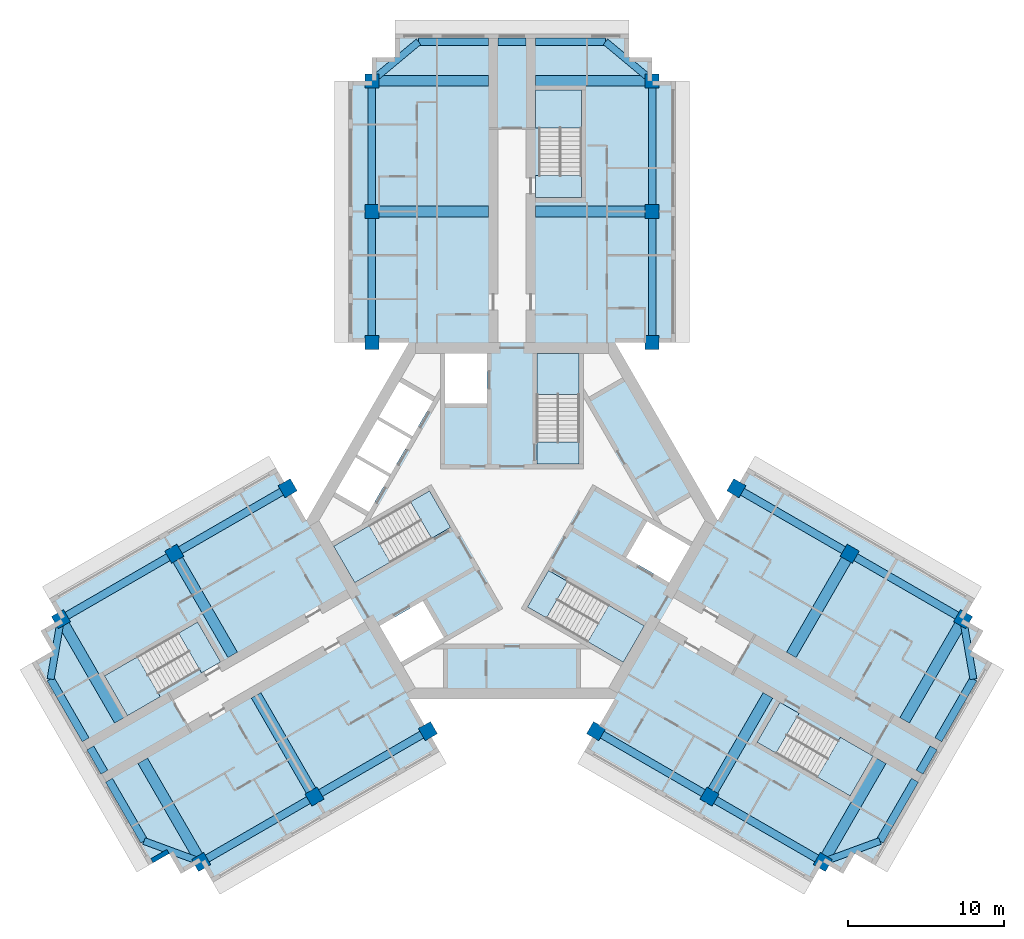
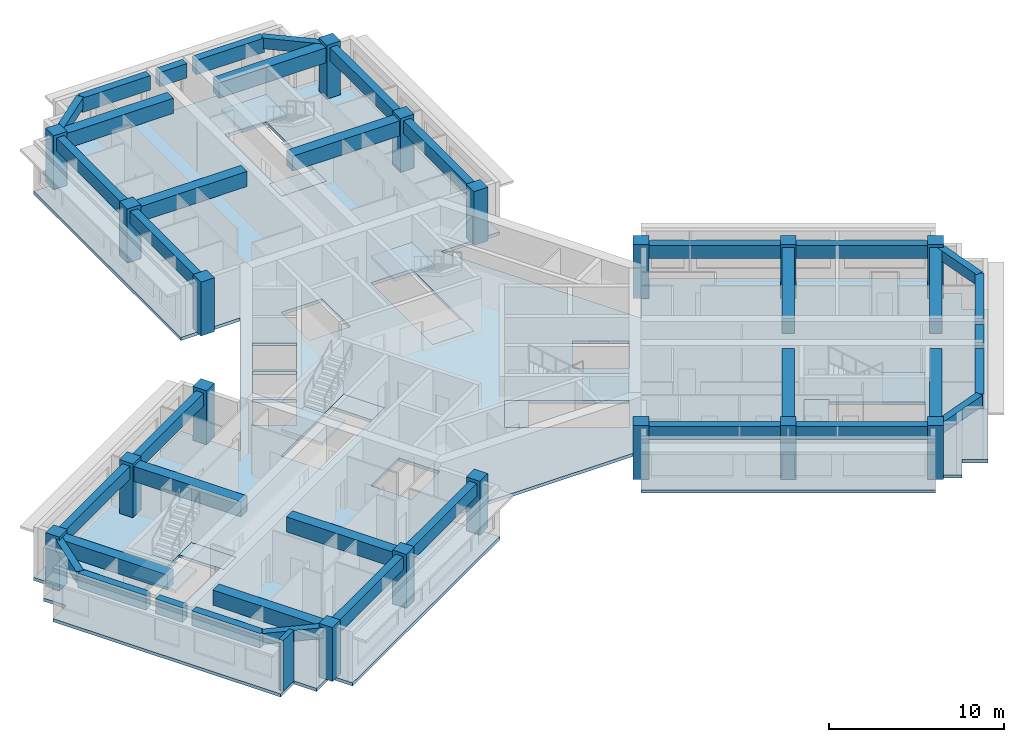
# One storey, part 1 of 10: 39 beams, 18 columns, 13 slabs, 1 wall, 6 elements without a shape of their own.
"""IFC4 building model written with IfcOpenShell, lengths in metres."""

from ifc_helpers import new_model, si_unit, direction, frame, frame_2d, origin, origin_2d, place, context, subcontext, project, spatial, polyline, rectangle, outline, extrude, material, layer, layer_set, material_profile, profile_set, type_object, element, aggregate, save


model = new_model("IFC4")

# Units and contexts
model_context = context("Model", 3, precision=1e-05, world=origin(), true_north=direction((0.0, 1.0)))
body_context = subcontext(model_context, "Body", "Model", "MODEL_VIEW")
ifc_project = project(units=[si_unit("LENGTHUNIT", "METRE"), si_unit("AREAUNIT", "SQUARE_METRE"), si_unit("VOLUMEUNIT", "CUBIC_METRE"), si_unit("PLANEANGLEUNIT", "RADIAN"), si_unit("MASSUNIT", "GRAM", prefix="KILO")], contexts=[model_context])

# Site, building, storey
site_placement = place(None, origin())
site = spatial("IfcSite", under=ifc_project, at=site_placement, CompositionType="ELEMENT")
building_placement = place(site_placement, origin())
building = spatial("IfcBuilding", under=site, at=building_placement, Name="Impinga Residences", CompositionType="ELEMENT")
storey_placement = place(building_placement, frame((0.0, 0.0, 252.25)))
storey = spatial("IfcBuildingStorey", under=building, at=storey_placement, Name="L63", CompositionType="ELEMENT", Elevation=252.25)

# Columns
ifc_material_1 = material(Name="Concrete C60/75", Category="concrete")
ifc_material_profile_1 = material_profile(ifc_material_1, rectangle(XDim=0.89990234375, YDim=0.89990234375, at=origin_2d()), Name="RC 900x900")
ifc_profile_set_1 = profile_set([ifc_material_profile_1], Name="Concrete C60/75")
column_type = type_object("IfcColumnType", Name="C4 900x900 column", PredefinedType="COLUMN", material=ifc_profile_set_1)
for number, where, z_axis, x_axis, name in (
    (1, (-9.0, 11.431640625, 0.0), (0.0, 0.0, 1.0), (1.0, 0.0, 0.0), "Column C4 N1/NA L63"),
    (2, (9.0, 11.431640625, 0.0), (0.0, 0.0, 1.0), (1.0, 0.0, 0.0), "Column C4 N1/NF L63"),
    (3, (-9.0, 19.83154296875, 0.0), (0.0, 0.0, 1.0), (1.0, 0.0, 0.0), "Column C4 N2/NA L63"),
    (4, (9.0, 19.83154296875, 0.0), (0.0, 0.0, 1.0), (1.0, 0.0, 0.0), "Column C4 N2/NF L63"),
    (5, (-9.0, 28.2314453125, 0.0), (0.0, 0.0, 1.0), (1.0, 0.0, 0.0), "Column C4 N3/NA L63"),
    (6, (9.0, 28.2314453125, 0.0), (0.0, 0.0, 1.0), (1.0, 0.0, 0.0), "Column C4 N3/NF L63"),
    (7, (-5.39990234375, -13.510009765625, 0.0), (0.0, 0.0, 1.0), (-0.5, 0.866025403784, 0.0), "Column C4 W1/WA L63"),
    (8, (-14.39990234375, 2.078369140625, 0.0), (0.0, 0.0, 1.0), (-0.5, 0.866025403784, 0.0), "Column C4 W1/WF L63"),
    (9, (-12.674560546875, -17.7099609375, 0.0), (0.0, 0.0, 1.0), (-0.5, 0.866025403784, 0.0), "Column C4 W2/WA L63"),
    (10, (-21.674560546875, -2.12158203125, 0.0), (0.0, 0.0, 1.0), (-0.5, 0.866025403784, 0.0), "Column C4 W2/WF L63"),
    (11, (-19.94921875, -21.909912109375, 0.0), (0.0, 0.0, 1.0), (-0.5, 0.866025403784, 0.0), "Column C4 W3/WA L63"),
    (12, (-28.94921875, -6.321533203125, 0.0), (0.0, 0.0, 1.0), (-0.5, 0.866025403784, 0.0), "Column C4 W3/WF L63"),
    (13, (14.39990234375, 2.078369140625, 0.0), (0.0, 0.0, 1.0), (-0.5, -0.866025403784, 0.0), "Column C4 E1/EA L63"),
    (14, (5.39990234375, -13.510009765625, 0.0), (0.0, 0.0, 1.0), (-0.5, -0.866025403784, 0.0), "Column C4 E1/EF L63"),
    (15, (21.674560546875, -2.12158203125, 0.0), (0.0, 0.0, 1.0), (-0.5, -0.866025403784, 0.0), "Column C4 E2/EA L63"),
    (16, (12.674560546875, -17.7099609375, 0.0), (0.0, 0.0, 1.0), (-0.5, -0.866025403784, 0.0), "Column C4 E2/EF L63"),
    (17, (28.94921875, -6.321533203125, 0.0), (0.0, 0.0, 1.0), (-0.5, -0.866025403784, 0.0), "Column C4 E3/EA L63"),
    (18, (19.94921875, -21.909912109375, 0.0), (0.0, 0.0, 1.0), (-0.5, -0.866025403784, 0.0), "Column C4 E3/EF L63"),
):
    element("IfcColumn", number, at=place(storey_placement, frame(where, z_axis=z_axis, x_axis=x_axis)), inside=storey, type_object=column_type, Name=name, PredefinedType="COLUMN", context=body_context, shape_type="SweptSolid", body=[
        extrude(rectangle(XDim=0.89990234375, YDim=0.89990234375, at=origin_2d()), origin(), (0.0, 0.0, 1.0), 3.75),
    ])

# Beams
ifc_material_profile_2 = material_profile(ifc_material_1, rectangle(XDim=0.449951171875, YDim=0.75, at=origin_2d()), Name="RC 450x750")
ifc_profile_set_2 = profile_set([ifc_material_profile_2], Name="Concrete C60/75")
beam_type_1 = type_object("IfcBeamType", Name="CB1 450x750 wing end cantilever beam", PredefinedType="BEAM", material=ifc_profile_set_2)
for number, where, z_axis, x_axis, name in (
    (19, (-9.0, 28.2314453125, 3.155029296875), (0.768221279597, 0.640184399664, 0.0), (-0.640184399664, 0.768221279597, 0.0), "Beam CB1 NB N3-NX level L64"),
    (20, (9.0, 28.2314453125, 3.155029296875), (-0.768221279597, 0.640184399664, 0.0), (-0.640184399664, -0.768221279597, 0.0), "Beam CB1 NE N3-NX level L64"),
    (21, (-19.94921875, -21.909912109375, 3.155029296875), (-0.93854043338, 0.345169313396, 0.0), (-0.345169313396, -0.93854043338, 0.0), "Beam CB1 WB W3-WX level L64"),
):
    element("IfcBeam", number, at=place(storey_placement, frame(where, z_axis=z_axis, x_axis=x_axis)), inside=storey, type_object=beam_type_1, Name=name, PredefinedType="BEAM", context=body_context, shape_type="SweptSolid", body=[
        extrude(rectangle(XDim=0.449951171875, YDim=0.75, at=origin_2d()), origin(), (0.0, 0.0, 1.0), 3.905029296875),
    ])
for number, where, z_axis, x_axis, name in (
    (22, (-28.94921875, -6.321533203125, 3.155029296875), (-0.170296298948, -0.985392901621, 0.0), (0.985392901621, -0.170296298948, 0.0), "Beam CB1 WE W3-WX level L64"),
    (23, (28.94921875, -6.321533203125, 3.155029296875), (0.170296298948, -0.985392901621, 0.0), (0.985392901621, 0.170296298948, 0.0), "Beam CB1 EB E3-EX level L64"),
):
    element("IfcBeam", number, at=place(storey_placement, frame(where, z_axis=z_axis, x_axis=x_axis)), inside=storey, type_object=beam_type_1, Name=name, PredefinedType="BEAM", context=body_context, shape_type="SweptSolid", body=[
        extrude(rectangle(XDim=0.449951171875, YDim=0.75, at=origin_2d()), origin(), (0.0, 0.0, 1.0), 3.9052734375),
    ])
beam_1_placement = place(storey_placement, frame((19.94921875, -21.909912109375, 3.155029296875), z_axis=(0.93854043338, 0.345169313396, 0.0), x_axis=(-0.345169313396, 0.93854043338, 0.0)))
element("IfcBeam", 24, at=beam_1_placement, inside=storey, type_object=beam_type_1, Name="Beam CB1 EE E3-EX level L64", PredefinedType="BEAM", context=body_context, shape_type="SweptSolid", body=[
    extrude(rectangle(XDim=0.449951171875, YDim=0.75, at=origin_2d()), origin(), (0.0, 0.0, 1.0), 3.905029296875),
])
ifc_material_profile_3 = material_profile(ifc_material_1, rectangle(XDim=0.699951171875, YDim=1.050048828125, at=origin_2d()), Name="RC 700x1050")
ifc_profile_set_3 = profile_set([ifc_material_profile_3], Name="Concrete C60/75")
beam_type_2 = type_object("IfcBeamType", Name="CG1 700x1050 cross girder on a wing bay line", PredefinedType="BEAM", material=ifc_profile_set_3)
for number, where, z_axis, x_axis, name in (
    (25, (-1.5, 19.83154296875, 3.0048828125), (-1.0, 0.0, 0.0), (0.0, -1.0, 0.0), "Beam CG1 N2 NC/NA level L64"),
    (26, (-1.5, 28.2314453125, 3.0048828125), (-1.0, 0.0, 0.0), (0.0, -1.0, 0.0), "Beam CG1 N3 NC/NA level L64"),
    (27, (1.5, 19.83154296875, 3.0048828125), (1.0, 0.0, 0.0), (0.0, 1.0, 0.0), "Beam CG1 N2 NC/NF level L64"),
    (28, (1.5, 28.2314453125, 3.0048828125), (1.0, 0.0, 0.0), (0.0, 1.0, 0.0), "Beam CG1 N3 NC/NF level L64"),
    (29, (-16.424560546875, -11.21484375, 3.0048828125), (0.500004234368, -0.866022959057, 0.0), (0.866022959057, 0.500004234368, 0.0), "Beam CG1 W2 WC/WA level L64"),
    (30, (-23.69921875, -15.414794921875, 3.0048828125), (0.500004234368, -0.866022959057, 0.0), (0.866022959057, 0.500004234368, 0.0), "Beam CG1 W3 WC/WA level L64"),
    (31, (-17.924560546875, -8.61669921875, 3.0048828125), (-0.500004234368, 0.866022959057, 0.0), (-0.866022959057, -0.500004234368, 0.0), "Beam CG1 W2 WC/WF level L64"),
    (32, (-25.19921875, -12.816650390625, 3.0048828125), (-0.500004234368, 0.866022959057, 0.0), (-0.866022959057, -0.500004234368, 0.0), "Beam CG1 W3 WC/WF level L64"),
    (33, (17.924560546875, -8.61669921875, 3.0048828125), (0.500004234368, 0.866022959057, 0.0), (-0.866022959057, 0.500004234368, 0.0), "Beam CG1 E2 EC/EA level L64"),
    (34, (25.19921875, -12.816650390625, 3.0048828125), (0.500004234368, 0.866022959057, 0.0), (-0.866022959057, 0.500004234368, 0.0), "Beam CG1 E3 EC/EA level L64"),
    (35, (16.424560546875, -11.21484375, 3.0048828125), (-0.500004234368, -0.866022959057, 0.0), (0.866022959057, -0.500004234368, 0.0), "Beam CG1 E2 EC/EF level L64"),
    (36, (23.69921875, -15.414794921875, 3.0048828125), (-0.500004234368, -0.866022959057, 0.0), (0.866022959057, -0.500004234368, 0.0), "Beam CG1 E3 EC/EF level L64"),
):
    element("IfcBeam", number, at=place(storey_placement, frame(where, z_axis=z_axis, x_axis=x_axis)), inside=storey, type_object=beam_type_2, Name=name, PredefinedType="BEAM", context=body_context, shape_type="SweptSolid", body=[
        extrude(rectangle(XDim=0.699951171875, YDim=1.050048828125, at=origin_2d()), origin(), (0.0, 0.0, 1.0), 7.5),
    ])
ifc_material_profile_4 = material_profile(ifc_material_1, rectangle(XDim=0.5, YDim=1.0, at=origin_2d()), Name="RC 500x1000")
ifc_profile_set_4 = profile_set([ifc_material_profile_4], Name="Concrete C60/75")
beam_type_3 = type_object("IfcBeamType", Name="EB1 500x1000 wing end beam", PredefinedType="BEAM", material=ifc_profile_set_4)
beam_2_placement = place(storey_placement, frame((-6.0, 30.7314453125, 3.030029296875), z_axis=(1.0, 0.0, 0.0), x_axis=(0.0, 1.0, 0.0)))
element("IfcBeam", 37, at=beam_2_placement, inside=storey, type_object=beam_type_3, Name="Beam EB1 NX2 level L64", PredefinedType="BEAM", context=body_context, shape_type="SweptSolid", body=[
    extrude(rectangle(XDim=0.5, YDim=1.0, at=origin_2d()), origin(), (0.0, 0.0, 1.0), 4.5),
])
beam_3_placement = place(storey_placement, frame((-0.89990234375, 30.7314453125, 3.030029296875), z_axis=(1.0, 0.0, 0.0), x_axis=(0.0, 1.0, 0.0)))
element("IfcBeam", 38, at=beam_3_placement, inside=storey, type_object=beam_type_3, Name="Beam EB1 NX2 level L64", PredefinedType="BEAM", context=body_context, shape_type="SweptSolid", body=[
    extrude(rectangle(XDim=0.5, YDim=1.0, at=origin_2d()), origin(), (0.0, 0.0, 1.0), 1.7998046875),
])
for number, where, z_axis, x_axis, name in (
    (39, (1.5, 30.7314453125, 3.030029296875), (1.0, 0.0, 0.0), (0.0, 1.0, 0.0), "Beam EB1 NX2 level L64"),
    (40, (-23.6142578125, -20.56201171875, 3.030029296875), (-0.499990139034, 0.866031096941, 0.0), (-0.866031096941, -0.499990139034, 0.0), "Beam EB1 WX2 level L64"),
):
    element("IfcBeam", number, at=place(storey_placement, frame(where, z_axis=z_axis, x_axis=x_axis)), inside=storey, type_object=beam_type_3, Name=name, PredefinedType="BEAM", context=body_context, shape_type="SweptSolid", body=[
        extrude(rectangle(XDim=0.5, YDim=1.0, at=origin_2d()), origin(), (0.0, 0.0, 1.0), 4.5),
    ])
beam_4_placement = place(storey_placement, frame((-26.164306640625, -16.145263671875, 3.030029296875), z_axis=(-0.499961193289, 0.866047807691, 0.0), x_axis=(-0.866047807691, -0.499961193289, 0.0)))
element("IfcBeam", 41, at=beam_4_placement, inside=storey, type_object=beam_type_3, Name="Beam EB1 WX2 level L64", PredefinedType="BEAM", context=body_context, shape_type="SweptSolid", body=[
    extrude(rectangle(XDim=0.5, YDim=1.0, at=origin_2d()), origin(), (0.0, 0.0, 1.0), 1.800048828125),
])
for number, where, z_axis, x_axis, name in (
    (42, (-27.3642578125, -14.066650390625, 3.030029296875), (-0.500013631625, 0.866017533419, 0.0), (-0.866017533419, -0.500013631625, 0.0), "Beam EB1 WX2 level L64"),
    (43, (29.6142578125, -10.169677734375, 3.030029296875), (-0.500013631625, -0.866017533419, 0.0), (0.866017533419, -0.500013631625, 0.0), "Beam EB1 EX2 level L64"),
):
    element("IfcBeam", number, at=place(storey_placement, frame(where, z_axis=z_axis, x_axis=x_axis)), inside=storey, type_object=beam_type_3, Name=name, PredefinedType="BEAM", context=body_context, shape_type="SweptSolid", body=[
        extrude(rectangle(XDim=0.5, YDim=1.0, at=origin_2d()), origin(), (0.0, 0.0, 1.0), 4.499755859375),
    ])
beam_5_placement = place(storey_placement, frame((27.064208984375, -14.58642578125, 3.030029296875), z_axis=(-0.499961193289, -0.866047807691, 0.0), x_axis=(0.866047807691, -0.499961193289, 0.0)))
element("IfcBeam", 44, at=beam_5_placement, inside=storey, type_object=beam_type_3, Name="Beam EB1 EX2 level L64", PredefinedType="BEAM", context=body_context, shape_type="SweptSolid", body=[
    extrude(rectangle(XDim=0.5, YDim=1.0, at=origin_2d()), origin(), (0.0, 0.0, 1.0), 1.800048828125),
])
beam_6_placement = place(storey_placement, frame((25.8642578125, -16.664794921875, 3.030029296875), z_axis=(-0.499990139034, -0.866031096941, 0.0), x_axis=(0.866031096941, -0.499990139034, 0.0)))
element("IfcBeam", 45, at=beam_6_placement, inside=storey, type_object=beam_type_3, Name="Beam EB1 EX2 level L64", PredefinedType="BEAM", context=body_context, shape_type="SweptSolid", body=[
    extrude(rectangle(XDim=0.5, YDim=1.0, at=origin_2d()), origin(), (0.0, 0.0, 1.0), 4.5),
])
ifc_material_profile_5 = material_profile(ifc_material_1, rectangle(XDim=0.5, YDim=0.89990234375, at=origin_2d()), Name="RC 500x900")
ifc_profile_set_5 = profile_set([ifc_material_profile_5], Name="Concrete C60/75")
beam_type_4 = type_object("IfcBeamType", Name="SB1 500x900 perimeter spandrel beam", PredefinedType="SPANDREL", material=ifc_profile_set_5)
for number, where, z_axis, x_axis, name in (
    (46, (-9.0, 11.431640625, 3.080078125), (0.0, 1.0, 0.0), (-1.0, 0.0, 0.0), "Beam SB1 NA N1-N2 level L64"),
    (47, (-9.0, 19.83154296875, 3.080078125), (0.0, 1.0, 0.0), (-1.0, 0.0, 0.0), "Beam SB1 NA N2-N3 level L64"),
    (48, (9.0, 11.431640625, 3.080078125), (0.0, 1.0, 0.0), (-1.0, 0.0, 0.0), "Beam SB1 NF N1-N2 level L64"),
    (49, (9.0, 19.83154296875, 3.080078125), (0.0, 1.0, 0.0), (-1.0, 0.0, 0.0), "Beam SB1 NF N2-N3 level L64"),
    (50, (-5.39990234375, -13.510009765625, 3.080078125), (-0.86602925447, -0.499993330357, 0.0), (0.499993330357, -0.86602925447, 0.0), "Beam SB1 WA W1-W2 level L64"),
    (51, (-12.674560546875, -17.7099609375, 3.080078125), (-0.86602925447, -0.499993330357, 0.0), (0.499993330357, -0.86602925447, 0.0), "Beam SB1 WA W2-W3 level L64"),
    (52, (-14.39990234375, 2.078369140625, 3.080078125), (-0.86602925447, -0.499993330357, 0.0), (0.499993330357, -0.86602925447, 0.0), "Beam SB1 WF W1-W2 level L64"),
    (53, (-21.674560546875, -2.12158203125, 3.080078125), (-0.86602925447, -0.499993330357, 0.0), (0.499993330357, -0.86602925447, 0.0), "Beam SB1 WF W2-W3 level L64"),
    (54, (14.39990234375, 2.078369140625, 3.080078125), (0.86602925447, -0.499993330357, 0.0), (0.499993330357, 0.86602925447, 0.0), "Beam SB1 EA E1-E2 level L64"),
    (55, (21.674560546875, -2.12158203125, 3.080078125), (0.86602925447, -0.499993330357, 0.0), (0.499993330357, 0.86602925447, 0.0), "Beam SB1 EA E2-E3 level L64"),
    (56, (5.39990234375, -13.510009765625, 3.080078125), (0.86602925447, -0.499993330357, 0.0), (0.499993330357, 0.86602925447, 0.0), "Beam SB1 EF E1-E2 level L64"),
    (57, (12.674560546875, -17.7099609375, 3.080078125), (0.86602925447, -0.499993330357, 0.0), (0.499993330357, 0.86602925447, 0.0), "Beam SB1 EF E2-E3 level L64"),
):
    element("IfcBeam", number, at=place(storey_placement, frame(where, z_axis=z_axis, x_axis=x_axis)), inside=storey, type_object=beam_type_4, Name=name, PredefinedType="SPANDREL", context=body_context, shape_type="SweptSolid", body=[
        extrude(rectangle(XDim=0.5, YDim=0.89990234375, at=origin_2d()), origin(), (0.0, 0.0, 1.0), 8.39990234375),
    ])

# Slab
ifc_layer_1 = layer(ifc_material_1, 0.219970703125)
ifc_layer_set_1 = layer_set([ifc_layer_1], Name="Concrete C60/75")
slab_type_1 = type_object("IfcSlabType", Name="FS1 tower floor slab 220", PredefinedType="FLOOR", material=ifc_layer_set_1)
slab_1_placement = place(storey_placement, frame((0.0, 0.0, -0.219970703125)))
element("IfcSlab", 58, at=slab_1_placement, inside=storey, type_object=slab_type_1, Name="Floor slab FS1 L63", PredefinedType="FLOOR", context=body_context, shape_type="SweptSolid", body=[
    extrude(outline(polyline([(-19.94921875, -21.909912109375), (-21.248291015625, -22.659912109375), (-21.998291015625, -21.36083984375), (-23.29736328125, -22.11083984375), (-30.79736328125, -9.12060546875), (-29.498291015625, -8.37060546875), (-30.248291015625, -7.071533203125), (-28.94921875, -6.321533203125), (-29.69921875, -5.0224609375), (-15.14990234375, 3.37744140625), (-13.199951171875, 0.0), (-6.60009765625, 11.431640625), (-10.5, 11.431640625), (-10.5, 28.2314453125), (-9.0, 28.2314453125), (-9.0, 29.7314453125), (-7.5, 29.7314453125), (-7.5, 31.2314453125), (7.5, 31.2314453125), (7.5, 29.7314453125), (9.0, 29.7314453125), (9.0, 28.2314453125), (10.5, 28.2314453125), (10.5, 11.431640625), (6.60009765625, 11.431640625), (13.199951171875, 0.0), (15.14990234375, 3.37744140625), (29.69921875, -5.0224609375), (28.94921875, -6.321533203125), (30.248291015625, -7.071533203125), (29.498291015625, -8.37060546875), (30.79736328125, -9.12060546875), (23.29736328125, -22.11083984375), (21.998291015625, -21.36083984375), (21.248291015625, -22.659912109375), (19.94921875, -21.909912109375), (19.19921875, -23.208984375), (4.64990234375, -14.80908203125), (9.900146484375, -5.7158203125), (6.60009765625, -11.431640625), (-6.60009765625, -11.431640625), (-9.900146484375, -5.7158203125), (-4.64990234375, -14.80908203125), (-19.19921875, -23.208984375), (-19.94921875, -21.909912109375)]), holes=[polyline([(-18.7041015625, -9.066650390625), (-18.8291015625, -8.850341796875), (-18.8291015625, -8.850341796875), (-20.178955078125, -6.511962890625), (-21.391357421875, -7.2119140625), (-21.391357421875, -7.2119140625), (-26.154541015625, -9.9619140625), (-24.8046875, -12.30029296875), (-20.04150390625, -9.55029296875), (-19.91650390625, -9.766845703125), (-18.7041015625, -9.066650390625)]), polyline([(-5.72119140625, -5.150634765625), (-8.493896484375, -6.75146484375), (-7.143798828125, -9.089599609375), (-4.37109375, -7.489013671875), (-5.72119140625, -5.150634765625)]), polyline([(-5.293701171875, 1.908935546875), (-11.44384765625, -1.641845703125), (-10.09375, -3.980224609375), (-3.943603515625, -0.429443359375), (-5.293701171875, 1.908935546875)]), polyline([(-7.878662109375, 2.816650390625), (-10.043701171875, 4.066650390625), (-11.34375, 1.81494140625), (-9.1787109375, 0.56494140625), (-7.878662109375, 2.816650390625)]), polyline([(-6.478759765625, 5.24169921875), (-8.643798828125, 6.49169921875), (-9.94384765625, 4.239990234375), (-7.77880859375, 2.989990234375), (-6.478759765625, 5.24169921875)]), polyline([(-6.378662109375, 5.414794921875), (-5.07861328125, 7.66650390625), (-7.243896484375, 8.91650390625), (-8.543701171875, 6.664794921875), (-6.378662109375, 5.414794921875)]), polyline([(-4.300048828125, 7.530029296875), (-1.60009765625, 7.530029296875), (-1.60009765625, 10.7314453125), (-4.300048828125, 10.7314453125), (-4.300048828125, 7.530029296875)]), polyline([(15.72900390625, -14.219482421875), (21.70458984375, -17.669677734375), (23.0546875, -15.331298828125), (18.29150390625, -12.581298828125), (18.41650390625, -12.36474609375), (17.2041015625, -11.664794921875), (15.72900390625, -14.219482421875)]), polyline([(0.99365234375, -5.538818359375), (7.143798828125, -9.089599609375), (8.493896484375, -6.75146484375), (2.34375, -3.20068359375), (0.99365234375, -5.538818359375)]), polyline([(7.3212890625, -2.37939453125), (10.09375, -3.980224609375), (11.44384765625, -1.641845703125), (8.671142578125, -0.041015625), (7.3212890625, -2.37939453125)]), polyline([(4.300048828125, 3.6298828125), (4.300048828125, 10.7314453125), (1.60009765625, 10.7314453125), (1.60009765625, 3.6298828125), (4.300048828125, 3.6298828125)]), polyline([(1.75, 22.131591796875), (1.5, 22.131591796875), (1.5, 20.7314453125), (1.75, 20.7314453125), (4.449951171875, 20.7314453125), (4.449951171875, 22.131591796875), (4.449951171875, 27.631591796875), (1.75, 27.631591796875), (1.75, 22.131591796875)])]), origin(), (0.0, 0.0, 1.0), 0.219970703125),
])

# Stair, slabs
ifc_material_2 = material(Name="Concrete C40/50", Category="concrete")
stair_type_1 = type_object("IfcStairType", Name="STR core stair 3750 storey, 24 risers", PredefinedType="HALF_TURN_STAIR", material=ifc_material_2)
stair_1_placement = place(storey_placement, origin())
stair_1 = element("IfcStair", 59, at=stair_1_placement, inside=storey, type_object=stair_type_1, Name="Stair ST1 L63", PredefinedType="HALF_TURN_STAIR")
ifc_layer_2 = layer(ifc_material_2, 0.199951171875)
ifc_layer_set_2 = layer_set([ifc_layer_2], Name="Concrete C40/50")
slab_type_2 = type_object("IfcSlabType", Name="LS1 stair landing 200", PredefinedType="LANDING", material=ifc_layer_set_2)
slab_2_placement = place(storey_placement, frame((0.0, 0.0, -0.199951171875)))
slab_2 = element("IfcSlab", 60, at=slab_2_placement, type_object=slab_type_2, Name="ST1 landing 1", PredefinedType="LANDING", context=body_context, shape_type="SweptSolid", body=[
    extrude(outline(polyline([(1.60009765625, 3.6298828125), (4.300048828125, 3.6298828125), (4.300048828125, 5.0400390625), (1.60009765625, 5.0400390625), (1.60009765625, 3.6298828125)])), origin(), (0.0, 0.0, 1.0), 0.199951171875),
])
slab_3_placement = place(storey_placement, frame((0.0, 0.0, 1.675048828125)))
slab_3 = element("IfcSlab", 61, at=slab_3_placement, type_object=slab_type_2, Name="ST1 landing 2", PredefinedType="LANDING", context=body_context, shape_type="SweptSolid", body=[
    extrude(outline(polyline([(1.60009765625, 8.10009765625), (4.300048828125, 8.10009765625), (4.300048828125, 10.7314453125), (1.60009765625, 10.7314453125), (1.60009765625, 8.10009765625)])), origin(), (0.0, 0.0, 1.0), 0.199951171875),
])
aggregate(stair_1, [slab_2, slab_3])

stair_2_placement = place(storey_placement, origin())
stair_2 = element("IfcStair", 62, at=stair_2_placement, inside=storey, type_object=stair_type_1, Name="Stair ST2 L63", PredefinedType="HALF_TURN_STAIR")
slab_4_placement = place(storey_placement, frame((0.0, 0.0, -0.199951171875)))
slab_4 = element("IfcSlab", 63, at=slab_4_placement, type_object=slab_type_2, Name="ST2 landing 1", PredefinedType="LANDING", context=body_context, shape_type="SweptSolid", body=[
    extrude(outline(polyline([(-3.943603515625, -0.429443359375), (-5.293701171875, 1.908935546875), (-6.5146484375, 1.203857421875), (-5.164794921875, -1.13427734375), (-3.943603515625, -0.429443359375)])), origin(), (0.0, 0.0, 1.0), 0.199951171875),
])
slab_5_placement = place(storey_placement, frame((0.0, 0.0, 1.675048828125)))
slab_5 = element("IfcSlab", 64, at=slab_5_placement, type_object=slab_type_2, Name="ST2 landing 2", PredefinedType="LANDING", context=body_context, shape_type="SweptSolid", body=[
    extrude(outline(polyline([(-7.814697265625, -2.664306640625), (-9.164794921875, -0.326171875), (-11.44384765625, -1.641845703125), (-10.09375, -3.980224609375), (-7.814697265625, -2.664306640625)])), origin(), (0.0, 0.0, 1.0), 0.199951171875),
])
aggregate(stair_2, [slab_4, slab_5])

stair_3_placement = place(storey_placement, origin())
stair_3 = element("IfcStair", 65, at=stair_3_placement, inside=storey, type_object=stair_type_1, Name="Stair ST3 L63", PredefinedType="HALF_TURN_STAIR")
slab_6_placement = place(storey_placement, frame((0.0, 0.0, -0.199951171875)))
slab_6 = element("IfcSlab", 66, at=slab_6_placement, type_object=slab_type_2, Name="ST3 landing 1", PredefinedType="LANDING", context=body_context, shape_type="SweptSolid", body=[
    extrude(outline(polyline([(2.34375, -3.20068359375), (0.99365234375, -5.538818359375), (2.21484375, -6.243896484375), (3.564697265625, -3.90576171875), (2.34375, -3.20068359375)])), origin(), (0.0, 0.0, 1.0), 0.199951171875),
])
slab_7_placement = place(storey_placement, frame((0.0, 0.0, 1.675048828125)))
slab_7 = element("IfcSlab", 67, at=slab_7_placement, type_object=slab_type_2, Name="ST3 landing 2", PredefinedType="LANDING", context=body_context, shape_type="SweptSolid", body=[
    extrude(outline(polyline([(6.21484375, -5.435546875), (4.86474609375, -7.77392578125), (7.143798828125, -9.089599609375), (8.493896484375, -6.75146484375), (6.21484375, -5.435546875)])), origin(), (0.0, 0.0, 1.0), 0.199951171875),
])
aggregate(stair_3, [slab_6, slab_7])

stair_type_2 = type_object("IfcStairType", Name="STR wing stair 3750 storey, 24 risers", PredefinedType="HALF_TURN_STAIR", material=ifc_material_2)
stair_4_placement = place(storey_placement, origin())
stair_4 = element("IfcStair", 68, at=stair_4_placement, inside=storey, type_object=stair_type_2, Name="Stair WS1 L63", PredefinedType="HALF_TURN_STAIR")
slab_8_placement = place(storey_placement, frame((0.0, 0.0, -0.199951171875)))
slab_8 = element("IfcSlab", 69, at=slab_8_placement, type_object=slab_type_2, Name="WS1 landing 1", PredefinedType="LANDING", context=body_context, shape_type="SweptSolid", body=[
    extrude(outline(polyline([(1.5, 20.7314453125), (4.449951171875, 20.7314453125), (4.449951171875, 22.1416015625), (1.5, 22.1416015625), (1.5, 20.7314453125)])), origin(), (0.0, 0.0, 1.0), 0.199951171875),
])
slab_9_placement = place(storey_placement, frame((0.0, 0.0, 1.675048828125)))
slab_9 = element("IfcSlab", 70, at=slab_9_placement, type_object=slab_type_2, Name="WS1 landing 2", PredefinedType="LANDING", context=body_context, shape_type="SweptSolid", body=[
    extrude(outline(polyline([(1.5, 25.201416015625), (4.449951171875, 25.201416015625), (4.449951171875, 27.631591796875), (1.5, 27.631591796875), (1.5, 25.201416015625)])), origin(), (0.0, 0.0, 1.0), 0.199951171875),
])
aggregate(stair_4, [slab_8, slab_9])

stair_5_placement = place(storey_placement, origin())
stair_5 = element("IfcStair", 71, at=stair_5_placement, inside=storey, type_object=stair_type_2, Name="Stair WS2 L63", PredefinedType="HALF_TURN_STAIR")
slab_10_placement = place(storey_placement, frame((0.0, 0.0, -0.199951171875)))
slab_10 = element("IfcSlab", 72, at=slab_10_placement, type_object=slab_type_2, Name="WS2 landing 1", PredefinedType="LANDING", context=body_context, shape_type="SweptSolid", body=[
    extrude(outline(polyline([(-18.7041015625, -9.066650390625), (-20.178955078125, -6.511962890625), (-21.400146484375, -7.217041015625), (-19.925048828125, -9.771728515625), (-18.7041015625, -9.066650390625)])), origin(), (0.0, 0.0, 1.0), 0.199951171875),
])
slab_11_placement = place(storey_placement, frame((0.0, 0.0, 1.675048828125)))
slab_11 = element("IfcSlab", 73, at=slab_11_placement, type_object=slab_type_2, Name="WS2 landing 2", PredefinedType="LANDING", context=body_context, shape_type="SweptSolid", body=[
    extrude(outline(polyline([(-22.5751953125, -11.3017578125), (-24.050048828125, -8.7470703125), (-26.154541015625, -9.9619140625), (-24.6796875, -12.516845703125), (-22.5751953125, -11.3017578125)])), origin(), (0.0, 0.0, 1.0), 0.199951171875),
])
aggregate(stair_5, [slab_10, slab_11])

stair_6_placement = place(storey_placement, origin())
stair_6 = element("IfcStair", 74, at=stair_6_placement, inside=storey, type_object=stair_type_2, Name="Stair WS3 L63", PredefinedType="HALF_TURN_STAIR")
slab_12_placement = place(storey_placement, frame((0.0, 0.0, -0.199951171875)))
slab_12 = element("IfcSlab", 75, at=slab_12_placement, type_object=slab_type_2, Name="WS3 landing 1", PredefinedType="LANDING", context=body_context, shape_type="SweptSolid", body=[
    extrude(outline(polyline([(17.2041015625, -11.664794921875), (15.72900390625, -14.219482421875), (16.9501953125, -14.924560546875), (18.425048828125, -12.369873046875), (17.2041015625, -11.664794921875)])), origin(), (0.0, 0.0, 1.0), 0.199951171875),
])
slab_13_placement = place(storey_placement, frame((0.0, 0.0, 1.675048828125)))
slab_13 = element("IfcSlab", 76, at=slab_13_placement, type_object=slab_type_2, Name="WS3 landing 2", PredefinedType="LANDING", context=body_context, shape_type="SweptSolid", body=[
    extrude(outline(polyline([(21.0751953125, -13.89990234375), (19.60009765625, -16.45458984375), (21.70458984375, -17.669677734375), (23.1796875, -15.11474609375), (21.0751953125, -13.89990234375)])), origin(), (0.0, 0.0, 1.0), 0.199951171875),
])
aggregate(stair_6, [slab_12, slab_13])

# Wall
ifc_material_3 = material(Name="Terracotta rainscreen on blockwork", Category="masonry")
ifc_layer_3 = layer(ifc_material_3, 0.300048828125)
ifc_layer_set_3 = layer_set([ifc_layer_3], Name="EW1 external wall, terracotta rainscreen on blockwork 300")
wall_type = type_object("IfcWallType", Name="EW1 external wall, terracotta rainscreen on blockwork 300", PredefinedType="SOLIDWALL", material=ifc_layer_set_3)
wall_placement = place(storey_placement, frame((-22.07763671875, -21.233642578125, 0.0), z_axis=(0.0, 0.0, 1.0), x_axis=(-0.866059708757, -0.499940577336, 0.0)))
element("IfcWall", 77, at=wall_placement, inside=storey, type_object=wall_type, Name="External wall EW1 L63", PredefinedType="SOLIDWALL", context=body_context, shape_type="SweptSolid", body=[
    extrude(rectangle(XDim=1.195068359375, YDim=0.300048828125, at=frame_2d((0.59765625, 0.0))), origin(), (0.0, 0.0, 1.0), 3.530029296875),
])

save(model, "model.ifc")
